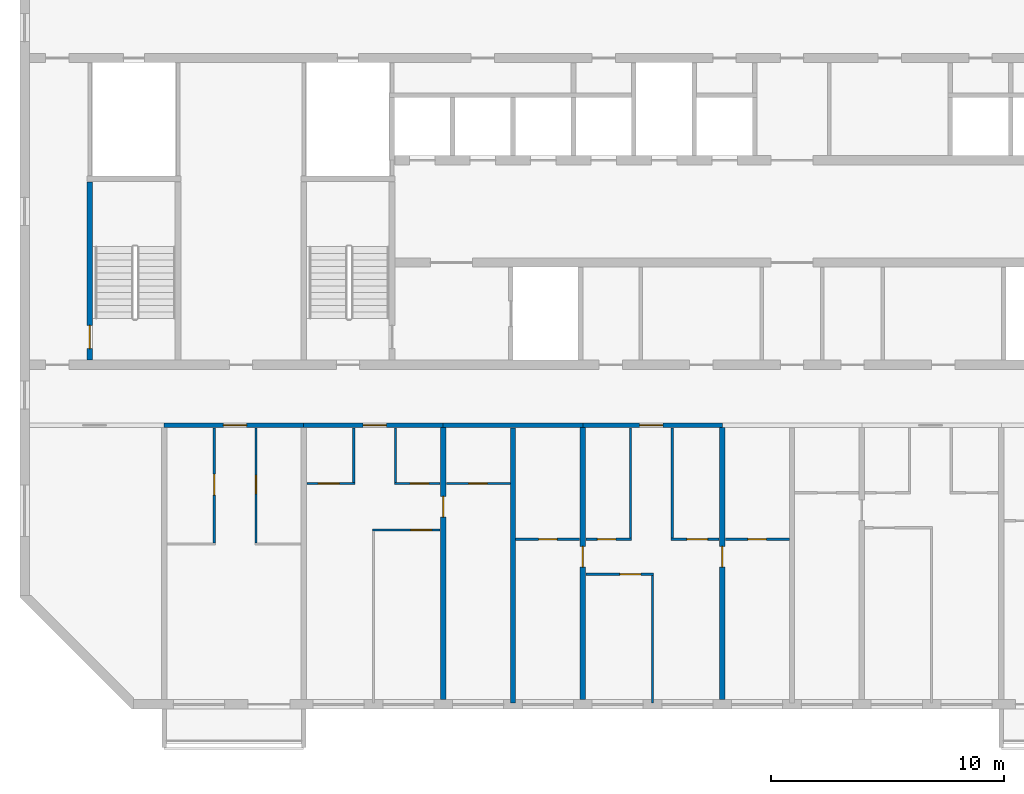
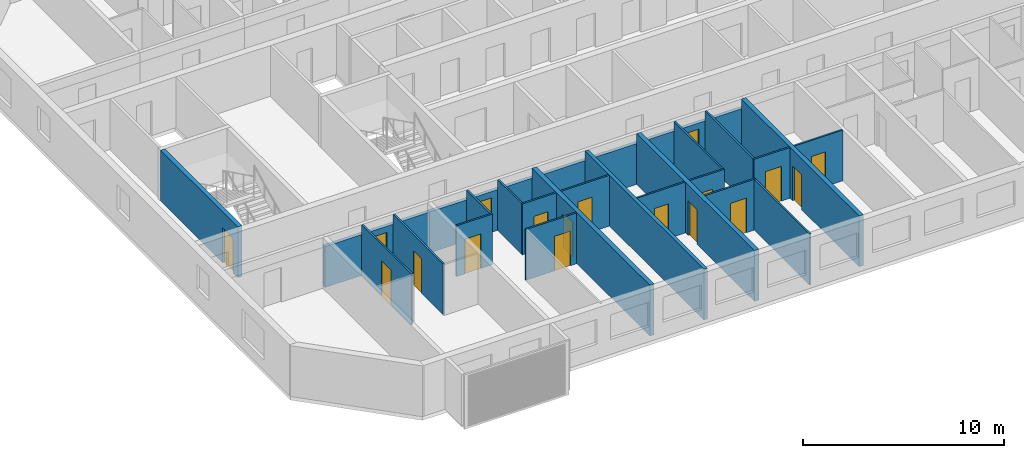
# One storey, part 2 of 28: 25 walls, 18 doors, 18 openings.
"""IFC4 building model written with IfcOpenShell, lengths in metres."""

from ifc_helpers import new_model, si_unit, direction, frame, frame_2d, origin, place, context, subcontext, project, spatial, rectangle, extrude, material, layer, layer_set, type_object, element, fill, save


model = new_model("IFC4")

# Units and contexts
model_context = context("Model", 3, precision=1e-05, world=origin(), true_north=direction((0.0, 1.0)))
body_context = subcontext(model_context, "Body", "Model", "MODEL_VIEW")
ifc_project = project(units=[si_unit("LENGTHUNIT", "METRE"), si_unit("AREAUNIT", "SQUARE_METRE"), si_unit("VOLUMEUNIT", "CUBIC_METRE"), si_unit("PLANEANGLEUNIT", "RADIAN"), si_unit("MASSUNIT", "GRAM", prefix="KILO")], contexts=[model_context])

# Site, building, storey
site_placement = place(None, origin())
site = spatial("IfcSite", under=ifc_project, at=site_placement, CompositionType="ELEMENT")
building_placement = place(site_placement, origin())
building = spatial("IfcBuilding", under=site, at=building_placement, Name="Poui Terraces", CompositionType="ELEMENT")
storey_placement = place(building_placement, frame((0.0, 0.0, 181.800048828125)))
storey = spatial("IfcBuildingStorey", under=building, at=storey_placement, Name="L50", CompositionType="ELEMENT", Elevation=181.800048828125)

# Wall, opening, door
ifc_material_1 = material(Name="Concrete 50 MPa", Category="concrete")
ifc_layer_1 = layer(ifc_material_1, 0.199951171875)
ifc_layer_set_1 = layer_set([ifc_layer_1], Name="Concrete 50 MPa")
wall_type_1 = type_object("IfcWallType", Name="CORRIDOR WALL 200 50MPa", PredefinedType="SHEAR", material=ifc_layer_set_1)
wall_1_placement = place(storey_placement, frame((24.0, 12.0, 0.0), z_axis=(0.0, 0.0, 1.0), x_axis=(1.0, 0.0, 0.0)))
wall_1 = element("IfcWall", 1, at=wall_1_placement, inside=storey, type_object=wall_type_1, Name="CORRIDOR WALL LINE B BAY 2", PredefinedType="SHEAR", context=body_context, shape_type="SweptSolid", body=[
    extrude(rectangle(XDim=6.0, YDim=0.199951171875, at=frame_2d((3.0, 0.0))), origin(), (0.0, 0.0, 1.0), 2.47998046875),
])
opening_1_placement = place(wall_1_placement, frame((2.550048828125, 0.0, 0.0)))
opening_1 = element("IfcOpeningElement", 2, at=opening_1_placement, cuts=wall_1, Name="Opening FD30S", PredefinedType="OPENING", context=body_context, shape_type="SweptSolid", body=[
    extrude(rectangle(XDim=1.0, YDim=2.10009765625, at=frame_2d((0.5, 1.050048828125))), frame((0.0, 0.10986328125, 0.0), z_axis=(0.0, -1.0, 0.0), x_axis=(1.0, 0.0, 0.0)), (0.0, 0.0, 1.0), 0.219970703125),
])
ifc_material_2 = material(Name="Steel fire door", Category="steel")
door_type_1 = type_object("IfcDoorType", Name="FLAT ENTRANCE DOOR 1000 X 2100", OperationType="NOTDEFINED", PredefinedType="DOOR", material=ifc_material_2)
door_1_placement = place(opening_1_placement, frame((1.0, 0.0, 0.0), z_axis=(0.0, 0.0, 1.0), x_axis=(-1.0, 0.0, 0.0)))
door_1 = element("IfcDoor", 3, at=door_1_placement, inside=storey, type_object=door_type_1, Name="FLAT ENTRANCE DOOR 066", OperationType="SINGLE_SWING_LEFT", OverallHeight=2.10009765625, OverallWidth=1.0, PredefinedType="DOOR", context=body_context, shape_type="SweptSolid", body=[
    extrude(rectangle(XDim=1.0, YDim=2.10009765625, at=frame_2d((0.5, 1.050048828125))), frame((0.0, 0.02490234375, 0.0), z_axis=(0.0, -1.0, 0.0), x_axis=(1.0, 0.0, 0.0)), (0.0, 0.0, 1.0), 0.050048828125),
])
fill(opening_1, door_1)

wall_2_placement = place(storey_placement, frame((30.0, 12.0, 0.0), z_axis=(0.0, 0.0, 1.0), x_axis=(1.0, 0.0, 0.0)))
wall_2 = element("IfcWall", 4, at=wall_2_placement, inside=storey, type_object=wall_type_1, Name="CORRIDOR WALL LINE B BAY 3", PredefinedType="SHEAR", context=body_context, shape_type="SweptSolid", body=[
    extrude(rectangle(XDim=6.0, YDim=0.199951171875, at=frame_2d((3.0, 0.0))), origin(), (0.0, 0.0, 1.0), 2.47998046875),
])
opening_2_placement = place(wall_2_placement, frame((2.550048828125, 0.0, 0.0)))
opening_2 = element("IfcOpeningElement", 5, at=opening_2_placement, cuts=wall_2, Name="Opening FD30S", PredefinedType="OPENING", context=body_context, shape_type="SweptSolid", body=[
    extrude(rectangle(XDim=1.0, YDim=2.10009765625, at=frame_2d((0.5, 1.050048828125))), frame((0.0, 0.10986328125, 0.0), z_axis=(0.0, -1.0, 0.0), x_axis=(1.0, 0.0, 0.0)), (0.0, 0.0, 1.0), 0.219970703125),
])
door_2_placement = place(opening_2_placement, frame((1.0, 0.0, 0.0), z_axis=(0.0, 0.0, 1.0), x_axis=(-1.0, 0.0, 0.0)))
door_2 = element("IfcDoor", 6, at=door_2_placement, inside=storey, type_object=door_type_1, Name="FLAT ENTRANCE DOOR 070", OperationType="SINGLE_SWING_LEFT", OverallHeight=2.10009765625, OverallWidth=1.0, PredefinedType="DOOR", context=body_context, shape_type="SweptSolid", body=[
    extrude(rectangle(XDim=1.0, YDim=2.10009765625, at=frame_2d((0.5, 1.050048828125))), frame((0.0, 0.02490234375, 0.0), z_axis=(0.0, -1.0, 0.0), x_axis=(1.0, 0.0, 0.0)), (0.0, 0.0, 1.0), 0.050048828125),
])
fill(opening_2, door_2)

# Wall
wall_3_placement = place(storey_placement, frame((36.0, 12.0, 0.0), z_axis=(0.0, 0.0, 1.0), x_axis=(1.0, 0.0, 0.0)))
element("IfcWall", 7, at=wall_3_placement, inside=storey, type_object=wall_type_1, Name="CORRIDOR WALL LINE B BAY 4", PredefinedType="SHEAR", context=body_context, shape_type="SweptSolid", body=[
    extrude(rectangle(XDim=6.0, YDim=0.199951171875, at=frame_2d((3.0, 0.0))), origin(), (0.0, 0.0, 1.0), 2.47998046875),
])

# Wall, opening, door
wall_4_placement = place(storey_placement, frame((42.0, 12.0, 0.0), z_axis=(0.0, 0.0, 1.0), x_axis=(1.0, 0.0, 0.0)))
wall_4 = element("IfcWall", 8, at=wall_4_placement, inside=storey, type_object=wall_type_1, Name="CORRIDOR WALL LINE B BAY 5", PredefinedType="SHEAR", context=body_context, shape_type="SweptSolid", body=[
    extrude(rectangle(XDim=6.0, YDim=0.199951171875, at=frame_2d((3.0, 0.0))), origin(), (0.0, 0.0, 1.0), 2.47998046875),
])
opening_3_placement = place(wall_4_placement, frame((2.449951171875, 0.0, 0.0)))
opening_3 = element("IfcOpeningElement", 9, at=opening_3_placement, cuts=wall_4, Name="Opening FD30S", PredefinedType="OPENING", context=body_context, shape_type="SweptSolid", body=[
    extrude(rectangle(XDim=1.0, YDim=2.10009765625, at=frame_2d((0.5, 1.050048828125))), frame((0.0, 0.10986328125, 0.0), z_axis=(0.0, -1.0, 0.0), x_axis=(1.0, 0.0, 0.0)), (0.0, 0.0, 1.0), 0.219970703125),
])
door_3_placement = place(opening_3_placement, frame((1.0, 0.0, 0.0), z_axis=(0.0, 0.0, 1.0), x_axis=(-1.0, 0.0, 0.0)))
door_3 = element("IfcDoor", 10, at=door_3_placement, inside=storey, type_object=door_type_1, Name="FLAT ENTRANCE DOOR 079", OperationType="SINGLE_SWING_RIGHT", OverallHeight=2.10009765625, OverallWidth=1.0, PredefinedType="DOOR", context=body_context, shape_type="SweptSolid", body=[
    extrude(rectangle(XDim=1.0, YDim=2.10009765625, at=frame_2d((0.5, 1.050048828125))), frame((0.0, 0.02490234375, 0.0), z_axis=(0.0, -1.0, 0.0), x_axis=(1.0, 0.0, 0.0)), (0.0, 0.0, 1.0), 0.050048828125),
])
fill(opening_3, door_3)

ifc_layer_2 = layer(ifc_material_1, 0.25)
ifc_layer_set_2 = layer_set([ifc_layer_2], Name="Concrete 50 MPa")
wall_type_2 = type_object("IfcWallType", Name="CROSS WALL 250 50MPa", PredefinedType="SHEAR", material=ifc_layer_set_2)
wall_5_placement = place(storey_placement, frame((36.0, 0.199951171875, 0.0), z_axis=(0.0, 0.0, 1.0), x_axis=(0.0, 1.0, 0.0)))
wall_5 = element("IfcWall", 11, at=wall_5_placement, inside=storey, type_object=wall_type_2, Name="CROSS WALL LINE 7 SOUTH", PredefinedType="SHEAR", context=body_context, shape_type="SweptSolid", body=[
    extrude(rectangle(XDim=11.699951171875, YDim=0.25, at=frame_2d((5.85009765625, 0.0))), origin(), (0.0, 0.0, 1.0), 3.079833984375),
])
opening_4_placement = place(wall_5_placement, frame((7.85009765625, 0.0, 0.0)))
opening_4 = element("IfcOpeningElement", 12, at=opening_4_placement, cuts=wall_5, Name="Opening D90", PredefinedType="OPENING", context=body_context, shape_type="SweptSolid", body=[
    extrude(rectangle(XDim=0.89990234375, YDim=2.10009765625, at=frame_2d((0.449951171875, 1.050048828125))), frame((0.0, 0.135009765625, 0.0), z_axis=(0.0, -1.0, 0.0), x_axis=(1.0, 0.0, 0.0)), (0.0, 0.0, 1.0), 0.27001953125),
])
ifc_material_3 = material(Name="Solid core timber door", Category="wood")
door_type_2 = type_object("IfcDoorType", Name="INTERNAL DOOR 900 X 2100", OperationType="NOTDEFINED", PredefinedType="DOOR", material=ifc_material_3)
door_4_placement = place(opening_4_placement, frame((0.89990234375, 0.0, 0.0), z_axis=(0.0, 0.0, 1.0), x_axis=(-1.0, 0.0, 0.0)))
door_4 = element("IfcDoor", 13, at=door_4_placement, inside=storey, type_object=door_type_2, Name="INTERNAL DOOR 073", OperationType="SINGLE_SWING_LEFT", OverallHeight=2.10009765625, OverallWidth=0.89990234375, PredefinedType="DOOR", context=body_context, shape_type="SweptSolid", body=[
    extrude(rectangle(XDim=0.89990234375, YDim=2.10009765625, at=frame_2d((0.449951171875, 1.050048828125))), frame((0.0, 0.02490234375, 0.0), z_axis=(0.0, -1.0, 0.0), x_axis=(1.0, 0.0, 0.0)), (0.0, 0.0, 1.0), 0.050048828125),
])
fill(opening_4, door_4)

wall_6_placement = place(storey_placement, frame((42.0, 0.199951171875, 0.0), z_axis=(0.0, 0.0, 1.0), x_axis=(0.0, 1.0, 0.0)))
wall_6 = element("IfcWall", 14, at=wall_6_placement, inside=storey, type_object=wall_type_2, Name="CROSS WALL LINE 8 SOUTH", PredefinedType="SHEAR", context=body_context, shape_type="SweptSolid", body=[
    extrude(rectangle(XDim=11.699951171875, YDim=0.25, at=frame_2d((5.85009765625, 0.0))), origin(), (0.0, 0.0, 1.0), 3.079833984375),
])
opening_5_placement = place(wall_6_placement, frame((5.699951171875, 0.0, 0.0)))
opening_5 = element("IfcOpeningElement", 15, at=opening_5_placement, cuts=wall_6, Name="Opening D90", PredefinedType="OPENING", context=body_context, shape_type="SweptSolid", body=[
    extrude(rectangle(XDim=0.89990234375, YDim=2.10009765625, at=frame_2d((0.449951171875, 1.050048828125))), frame((0.0, 0.135009765625, 0.0), z_axis=(0.0, -1.0, 0.0), x_axis=(1.0, 0.0, 0.0)), (0.0, 0.0, 1.0), 0.27001953125),
])
door_5_placement = place(opening_5_placement, origin())
door_5 = element("IfcDoor", 16, at=door_5_placement, inside=storey, type_object=door_type_2, Name="INTERNAL DOOR 076", OperationType="SINGLE_SWING_RIGHT", OverallHeight=2.10009765625, OverallWidth=0.89990234375, PredefinedType="DOOR", context=body_context, shape_type="SweptSolid", body=[
    extrude(rectangle(XDim=0.89990234375, YDim=2.10009765625, at=frame_2d((0.449951171875, 1.050048828125))), frame((0.0, 0.02490234375, 0.0), z_axis=(0.0, -1.0, 0.0), x_axis=(1.0, 0.0, 0.0)), (0.0, 0.0, 1.0), 0.050048828125),
])
fill(opening_5, door_5)

wall_7_placement = place(storey_placement, frame((48.0, 0.199951171875, 0.0), z_axis=(0.0, 0.0, 1.0), x_axis=(0.0, 1.0, 0.0)))
wall_7 = element("IfcWall", 17, at=wall_7_placement, inside=storey, type_object=wall_type_2, Name="CROSS WALL LINE 9 SOUTH", PredefinedType="SHEAR", context=body_context, shape_type="SweptSolid", body=[
    extrude(rectangle(XDim=11.699951171875, YDim=0.25, at=frame_2d((5.85009765625, 0.0))), origin(), (0.0, 0.0, 1.0), 3.079833984375),
])
opening_6_placement = place(wall_7_placement, frame((5.699951171875, 0.0, 0.0)))
opening_6 = element("IfcOpeningElement", 18, at=opening_6_placement, cuts=wall_7, Name="Opening D90", PredefinedType="OPENING", context=body_context, shape_type="SweptSolid", body=[
    extrude(rectangle(XDim=0.89990234375, YDim=2.10009765625, at=frame_2d((0.449951171875, 1.050048828125))), frame((0.0, 0.135009765625, 0.0), z_axis=(0.0, -1.0, 0.0), x_axis=(1.0, 0.0, 0.0)), (0.0, 0.0, 1.0), 0.27001953125),
])
door_6_placement = place(opening_6_placement, frame((0.89990234375, 0.0, 0.0), z_axis=(0.0, 0.0, 1.0), x_axis=(-1.0, 0.0, 0.0)))
door_6 = element("IfcDoor", 19, at=door_6_placement, inside=storey, type_object=door_type_2, Name="INTERNAL DOOR 081", OperationType="SINGLE_SWING_LEFT", OverallHeight=2.10009765625, OverallWidth=0.89990234375, PredefinedType="DOOR", context=body_context, shape_type="SweptSolid", body=[
    extrude(rectangle(XDim=0.89990234375, YDim=2.10009765625, at=frame_2d((0.449951171875, 1.050048828125))), frame((0.0, 0.02490234375, 0.0), z_axis=(0.0, -1.0, 0.0), x_axis=(1.0, 0.0, 0.0)), (0.0, 0.0, 1.0), 0.050048828125),
])
fill(opening_6, door_6)

ifc_material_4 = material(Name="Plasterboard partition")
ifc_layer_3 = layer(ifc_material_4, 0.10009765625)
ifc_layer_set_3 = layer_set([ifc_layer_3], Name="Plasterboard partition")
wall_type_3 = type_object("IfcWallType", Name="FLAT PARTITION 100", PredefinedType="PARTITIONING", material=ifc_layer_set_3)
wall_8_placement = place(storey_placement, frame((42.135009765625, 5.60009765625, 0.0), z_axis=(0.0, 0.0, 1.0), x_axis=(1.0, 0.0, 0.0)))
wall_8 = element("IfcWall", 20, at=wall_8_placement, inside=storey, type_object=wall_type_3, Name="FLAT PARTITION 100", PredefinedType="PARTITIONING", context=body_context, shape_type="SweptSolid", body=[
    extrude(rectangle(XDim=2.9150390625, YDim=0.10009765625, at=frame_2d((1.45751953125, 0.0))), origin(), (0.0, 0.0, 1.0), 3.079833984375),
])
opening_7_placement = place(wall_8_placement, frame((1.465087890625, 0.0, 0.0)))
opening_7 = element("IfcOpeningElement", 21, at=opening_7_placement, cuts=wall_8, Name="Opening D90", PredefinedType="OPENING", context=body_context, shape_type="SweptSolid", body=[
    extrude(rectangle(XDim=0.89990234375, YDim=2.10009765625, at=frame_2d((0.449951171875, 1.050048828125))), frame((0.0, 0.06005859375, 0.0), z_axis=(0.0, -1.0, 0.0), x_axis=(1.0, 0.0, 0.0)), (0.0, 0.0, 1.0), 0.1201171875),
])
door_7_placement = place(opening_7_placement, origin())
door_7 = element("IfcDoor", 22, at=door_7_placement, inside=storey, type_object=door_type_2, Name="INTERNAL DOOR 078", OperationType="SINGLE_SWING_LEFT", OverallHeight=2.10009765625, OverallWidth=0.89990234375, PredefinedType="DOOR", context=body_context, shape_type="SweptSolid", body=[
    extrude(rectangle(XDim=0.89990234375, YDim=2.10009765625, at=frame_2d((0.449951171875, 1.050048828125))), frame((0.0, 0.02490234375, 0.0), z_axis=(0.0, -1.0, 0.0), x_axis=(1.0, 0.0, 0.0)), (0.0, 0.0, 1.0), 0.050048828125),
])
fill(opening_7, door_7)

wall_9_placement = place(storey_placement, frame((39.10009765625, 7.10009765625, 0.0), z_axis=(0.0, 0.0, 1.0), x_axis=(1.0, 0.0, 0.0)))
wall_9 = element("IfcWall", 23, at=wall_9_placement, inside=storey, type_object=wall_type_3, Name="FLAT PARTITION 100", PredefinedType="PARTITIONING", context=body_context, shape_type="SweptSolid", body=[
    extrude(rectangle(XDim=2.764892578125, YDim=0.10009765625, at=frame_2d((1.38232421875, 0.0))), origin(), (0.0, 0.0, 1.0), 3.079833984375),
])
opening_8_placement = place(wall_9_placement, frame((1.0, 0.0, 0.0)))
opening_8 = element("IfcOpeningElement", 24, at=opening_8_placement, cuts=wall_9, Name="Opening D80", PredefinedType="OPENING", context=body_context, shape_type="SweptSolid", body=[
    extrude(rectangle(XDim=0.800048828125, YDim=2.10009765625, at=frame_2d((0.39990234375, 1.050048828125))), frame((0.0, 0.06005859375, 0.0), z_axis=(0.0, -1.0, 0.0), x_axis=(1.0, 0.0, 0.0)), (0.0, 0.0, 1.0), 0.1201171875),
])
door_type_3 = type_object("IfcDoorType", Name="BATHROOM, LAUNDRY AND STORE DOOR 800 X 2100", OperationType="NOTDEFINED", PredefinedType="DOOR", material=ifc_material_3)
door_8_placement = place(opening_8_placement, origin())
door_8 = element("IfcDoor", 25, at=door_8_placement, inside=storey, type_object=door_type_3, Name="BATHROOM, LAUNDRY AND STORE DOOR 074", OperationType="SINGLE_SWING_RIGHT", OverallHeight=2.10009765625, OverallWidth=0.800048828125, PredefinedType="DOOR", context=body_context, shape_type="SweptSolid", body=[
    extrude(rectangle(XDim=0.800048828125, YDim=2.10009765625, at=frame_2d((0.39990234375, 1.050048828125))), frame((0.0, 0.02490234375, 0.0), z_axis=(0.0, -1.0, 0.0), x_axis=(1.0, 0.0, 0.0)), (0.0, 0.0, 1.0), 0.050048828125),
])
fill(opening_8, door_8)

wall_10_placement = place(storey_placement, frame((42.135009765625, 7.10009765625, 0.0), z_axis=(0.0, 0.0, 1.0), x_axis=(1.0, 0.0, 0.0)))
wall_10 = element("IfcWall", 26, at=wall_10_placement, inside=storey, type_object=wall_type_3, Name="FLAT PARTITION 100", PredefinedType="PARTITIONING", context=body_context, shape_type="SweptSolid", body=[
    extrude(rectangle(XDim=1.965087890625, YDim=0.10009765625, at=frame_2d((0.982421875, 0.0))), origin(), (0.0, 0.0, 1.0), 3.079833984375),
])
opening_9_placement = place(wall_10_placement, frame((0.489990234375, 0.0, 0.0)))
opening_9 = element("IfcOpeningElement", 27, at=opening_9_placement, cuts=wall_10, Name="Opening D80", PredefinedType="OPENING", context=body_context, shape_type="SweptSolid", body=[
    extrude(rectangle(XDim=0.800048828125, YDim=2.10009765625, at=frame_2d((0.39990234375, 1.050048828125))), frame((0.0, 0.06005859375, 0.0), z_axis=(0.0, -1.0, 0.0), x_axis=(1.0, 0.0, 0.0)), (0.0, 0.0, 1.0), 0.1201171875),
])
door_9_placement = place(opening_9_placement, origin())
door_9 = element("IfcDoor", 28, at=door_9_placement, inside=storey, type_object=door_type_3, Name="BATHROOM, LAUNDRY AND STORE DOOR 077", OperationType="SINGLE_SWING_RIGHT", OverallHeight=2.10009765625, OverallWidth=0.800048828125, PredefinedType="DOOR", context=body_context, shape_type="SweptSolid", body=[
    extrude(rectangle(XDim=0.800048828125, YDim=2.10009765625, at=frame_2d((0.39990234375, 1.050048828125))), frame((0.0, 0.02490234375, 0.0), z_axis=(0.0, -1.0, 0.0), x_axis=(1.0, 0.0, 0.0)), (0.0, 0.0, 1.0), 0.050048828125),
])
fill(opening_9, door_9)

wall_11_placement = place(storey_placement, frame((45.800048828125, 7.10009765625, 0.0), z_axis=(0.0, 0.0, 1.0), x_axis=(1.0, 0.0, 0.0)))
wall_11 = element("IfcWall", 29, at=wall_11_placement, inside=storey, type_object=wall_type_3, Name="FLAT PARTITION 100", PredefinedType="PARTITIONING", context=body_context, shape_type="SweptSolid", body=[
    extrude(rectangle(XDim=2.06494140625, YDim=0.10009765625, at=frame_2d((1.032470703125, 0.0))), origin(), (0.0, 0.0, 1.0), 3.079833984375),
])
opening_10_placement = place(wall_11_placement, frame((0.675048828125, 0.0, 0.0)))
opening_10 = element("IfcOpeningElement", 30, at=opening_10_placement, cuts=wall_11, Name="Opening D90", PredefinedType="OPENING", context=body_context, shape_type="SweptSolid", body=[
    extrude(rectangle(XDim=0.89990234375, YDim=2.10009765625, at=frame_2d((0.449951171875, 1.050048828125))), frame((0.0, 0.06005859375, 0.0), z_axis=(0.0, -1.0, 0.0), x_axis=(1.0, 0.0, 0.0)), (0.0, 0.0, 1.0), 0.1201171875),
])
door_10_placement = place(opening_10_placement, origin())
door_10 = element("IfcDoor", 31, at=door_10_placement, inside=storey, type_object=door_type_2, Name="INTERNAL DOOR 080", OperationType="SINGLE_SWING_LEFT", OverallHeight=2.10009765625, OverallWidth=0.89990234375, PredefinedType="DOOR", context=body_context, shape_type="SweptSolid", body=[
    extrude(rectangle(XDim=0.89990234375, YDim=2.10009765625, at=frame_2d((0.449951171875, 1.050048828125))), frame((0.0, 0.02490234375, 0.0), z_axis=(0.0, -1.0, 0.0), x_axis=(1.0, 0.0, 0.0)), (0.0, 0.0, 1.0), 0.050048828125),
])
fill(opening_10, door_10)

wall_12_placement = place(storey_placement, frame((48.135009765625, 7.10009765625, 0.0), z_axis=(0.0, 0.0, 1.0), x_axis=(1.0, 0.0, 0.0)))
wall_12 = element("IfcWall", 32, at=wall_12_placement, inside=storey, type_object=wall_type_3, Name="FLAT PARTITION 100", PredefinedType="PARTITIONING", context=body_context, shape_type="SweptSolid", body=[
    extrude(rectangle(XDim=2.764892578125, YDim=0.10009765625, at=frame_2d((1.38232421875, 0.0))), origin(), (0.0, 0.0, 1.0), 3.079833984375),
])
opening_11_placement = place(wall_12_placement, frame((0.965087890625, 0.0, 0.0)))
opening_11 = element("IfcOpeningElement", 33, at=opening_11_placement, cuts=wall_12, Name="Opening D80", PredefinedType="OPENING", context=body_context, shape_type="SweptSolid", body=[
    extrude(rectangle(XDim=0.800048828125, YDim=2.10009765625, at=frame_2d((0.39990234375, 1.050048828125))), frame((0.0, 0.06005859375, 0.0), z_axis=(0.0, -1.0, 0.0), x_axis=(1.0, 0.0, 0.0)), (0.0, 0.0, 1.0), 0.1201171875),
])
door_11_placement = place(opening_11_placement, origin())
door_11 = element("IfcDoor", 34, at=door_11_placement, inside=storey, type_object=door_type_3, Name="BATHROOM, LAUNDRY AND STORE DOOR 075", OperationType="SINGLE_SWING_RIGHT", OverallHeight=2.10009765625, OverallWidth=0.800048828125, PredefinedType="DOOR", context=body_context, shape_type="SweptSolid", body=[
    extrude(rectangle(XDim=0.800048828125, YDim=2.10009765625, at=frame_2d((0.39990234375, 1.050048828125))), frame((0.0, 0.02490234375, 0.0), z_axis=(0.0, -1.0, 0.0), x_axis=(1.0, 0.0, 0.0)), (0.0, 0.0, 1.0), 0.050048828125),
])
fill(opening_11, door_11)

wall_13_placement = place(storey_placement, frame((32.949951171875, 7.5, 0.0), z_axis=(0.0, 0.0, 1.0), x_axis=(1.0, 0.0, 0.0)))
wall_13 = element("IfcWall", 35, at=wall_13_placement, inside=storey, type_object=wall_type_3, Name="FLAT PARTITION 100", PredefinedType="PARTITIONING", context=body_context, shape_type="SweptSolid", body=[
    extrude(rectangle(XDim=2.9150390625, YDim=0.10009765625, at=frame_2d((1.45751953125, 0.0))), origin(), (0.0, 0.0, 1.0), 3.079833984375),
])
opening_12_placement = place(wall_13_placement, frame((1.64990234375, 0.0, 0.0)))
opening_12 = element("IfcOpeningElement", 36, at=opening_12_placement, cuts=wall_13, Name="Opening D90", PredefinedType="OPENING", context=body_context, shape_type="SweptSolid", body=[
    extrude(rectangle(XDim=0.89990234375, YDim=2.10009765625, at=frame_2d((0.449951171875, 1.050048828125))), frame((0.0, 0.06005859375, 0.0), z_axis=(0.0, -1.0, 0.0), x_axis=(1.0, 0.0, 0.0)), (0.0, 0.0, 1.0), 0.1201171875),
])
door_12_placement = place(opening_12_placement, origin())
door_12 = element("IfcDoor", 37, at=door_12_placement, inside=storey, type_object=door_type_2, Name="INTERNAL DOOR 072", OperationType="SINGLE_SWING_LEFT", OverallHeight=2.10009765625, OverallWidth=0.89990234375, PredefinedType="DOOR", context=body_context, shape_type="SweptSolid", body=[
    extrude(rectangle(XDim=0.89990234375, YDim=2.10009765625, at=frame_2d((0.449951171875, 1.050048828125))), frame((0.0, 0.02490234375, 0.0), z_axis=(0.0, -1.0, 0.0), x_axis=(1.0, 0.0, 0.0)), (0.0, 0.0, 1.0), 0.050048828125),
])
fill(opening_12, door_12)

wall_14_placement = place(storey_placement, frame((30.135009765625, 9.5, 0.0), z_axis=(0.0, 0.0, 1.0), x_axis=(1.0, 0.0, 0.0)))
wall_14 = element("IfcWall", 38, at=wall_14_placement, inside=storey, type_object=wall_type_3, Name="FLAT PARTITION 100", PredefinedType="PARTITIONING", context=body_context, shape_type="SweptSolid", body=[
    extrude(rectangle(XDim=2.06494140625, YDim=0.10009765625, at=frame_2d((1.032470703125, 0.0))), origin(), (0.0, 0.0, 1.0), 3.079833984375),
])
opening_13_placement = place(wall_14_placement, frame((0.489990234375, 0.0, 0.0)))
opening_13 = element("IfcOpeningElement", 39, at=opening_13_placement, cuts=wall_14, Name="Opening D90", PredefinedType="OPENING", context=body_context, shape_type="SweptSolid", body=[
    extrude(rectangle(XDim=0.89990234375, YDim=2.10009765625, at=frame_2d((0.449951171875, 1.050048828125))), frame((0.0, 0.06005859375, 0.0), z_axis=(0.0, -1.0, 0.0), x_axis=(1.0, 0.0, 0.0)), (0.0, 0.0, 1.0), 0.1201171875),
])
door_13_placement = place(opening_13_placement, origin())
door_13 = element("IfcDoor", 40, at=door_13_placement, inside=storey, type_object=door_type_2, Name="INTERNAL DOOR 069", OperationType="SINGLE_SWING_LEFT", OverallHeight=2.10009765625, OverallWidth=0.89990234375, PredefinedType="DOOR", context=body_context, shape_type="SweptSolid", body=[
    extrude(rectangle(XDim=0.89990234375, YDim=2.10009765625, at=frame_2d((0.449951171875, 1.050048828125))), frame((0.0, 0.02490234375, 0.0), z_axis=(0.0, -1.0, 0.0), x_axis=(1.0, 0.0, 0.0)), (0.0, 0.0, 1.0), 0.050048828125),
])
fill(opening_13, door_13)

wall_15_placement = place(storey_placement, frame((33.89990234375, 9.5, 0.0), z_axis=(0.0, 0.0, 1.0), x_axis=(1.0, 0.0, 0.0)))
wall_15 = element("IfcWall", 41, at=wall_15_placement, inside=storey, type_object=wall_type_3, Name="FLAT PARTITION 100", PredefinedType="PARTITIONING", context=body_context, shape_type="SweptSolid", body=[
    extrude(rectangle(XDim=1.965087890625, YDim=0.10009765625, at=frame_2d((0.982421875, 0.0))), origin(), (0.0, 0.0, 1.0), 3.079833984375),
])
opening_14_placement = place(wall_15_placement, frame((0.675048828125, 0.0, 0.0)))
opening_14 = element("IfcOpeningElement", 42, at=opening_14_placement, cuts=wall_15, Name="Opening D80", PredefinedType="OPENING", context=body_context, shape_type="SweptSolid", body=[
    extrude(rectangle(XDim=0.800048828125, YDim=2.10009765625, at=frame_2d((0.39990234375, 1.050048828125))), frame((0.0, 0.06005859375, 0.0), z_axis=(0.0, -1.0, 0.0), x_axis=(1.0, 0.0, 0.0)), (0.0, 0.0, 1.0), 0.1201171875),
])
door_14_placement = place(opening_14_placement, origin())
door_14 = element("IfcDoor", 43, at=door_14_placement, inside=storey, type_object=door_type_3, Name="BATHROOM, LAUNDRY AND STORE DOOR 071", OperationType="SINGLE_SWING_RIGHT", OverallHeight=2.10009765625, OverallWidth=0.800048828125, PredefinedType="DOOR", context=body_context, shape_type="SweptSolid", body=[
    extrude(rectangle(XDim=0.800048828125, YDim=2.10009765625, at=frame_2d((0.39990234375, 1.050048828125))), frame((0.0, 0.02490234375, 0.0), z_axis=(0.0, -1.0, 0.0), x_axis=(1.0, 0.0, 0.0)), (0.0, 0.0, 1.0), 0.050048828125),
])
fill(opening_14, door_14)

wall_16_placement = place(storey_placement, frame((36.135009765625, 9.5, 0.0), z_axis=(0.0, 0.0, 1.0), x_axis=(1.0, 0.0, 0.0)))
wall_16 = element("IfcWall", 44, at=wall_16_placement, inside=storey, type_object=wall_type_3, Name="FLAT PARTITION 100", PredefinedType="PARTITIONING", context=body_context, shape_type="SweptSolid", body=[
    extrude(rectangle(XDim=2.764892578125, YDim=0.10009765625, at=frame_2d((1.38232421875, 0.0))), origin(), (0.0, 0.0, 1.0), 3.079833984375),
])
opening_15_placement = place(wall_16_placement, frame((0.965087890625, 0.0, 0.0)))
opening_15 = element("IfcOpeningElement", 45, at=opening_15_placement, cuts=wall_16, Name="Opening D80", PredefinedType="OPENING", context=body_context, shape_type="SweptSolid", body=[
    extrude(rectangle(XDim=0.800048828125, YDim=2.10009765625, at=frame_2d((0.39990234375, 1.050048828125))), frame((0.0, 0.06005859375, 0.0), z_axis=(0.0, -1.0, 0.0), x_axis=(1.0, 0.0, 0.0)), (0.0, 0.0, 1.0), 0.1201171875),
])
door_15_placement = place(opening_15_placement, origin())
door_15 = element("IfcDoor", 46, at=door_15_placement, inside=storey, type_object=door_type_3, Name="BATHROOM, LAUNDRY AND STORE DOOR 068", OperationType="SINGLE_SWING_LEFT", OverallHeight=2.10009765625, OverallWidth=0.800048828125, PredefinedType="DOOR", context=body_context, shape_type="SweptSolid", body=[
    extrude(rectangle(XDim=0.800048828125, YDim=2.10009765625, at=frame_2d((0.39990234375, 1.050048828125))), frame((0.0, 0.02490234375, 0.0), z_axis=(0.0, -1.0, 0.0), x_axis=(1.0, 0.0, 0.0)), (0.0, 0.0, 1.0), 0.050048828125),
])
fill(opening_15, door_15)

wall_17_placement = place(storey_placement, frame((26.14990234375, 6.949951171875, 0.0), z_axis=(0.0, 0.0, 1.0), x_axis=(0.0, 1.0, 0.0)))
wall_17 = element("IfcWall", 47, at=wall_17_placement, inside=storey, type_object=wall_type_3, Name="FLAT PARTITION 100", PredefinedType="PARTITIONING", context=body_context, shape_type="SweptSolid", body=[
    extrude(rectangle(XDim=4.93994140625, YDim=0.10009765625, at=frame_2d((2.469970703125, 0.0))), origin(), (0.0, 0.0, 1.0), 3.079833984375),
])
opening_16_placement = place(wall_17_placement, frame((2.050048828125, 0.0, 0.0)))
opening_16 = element("IfcOpeningElement", 48, at=opening_16_placement, cuts=wall_17, Name="Opening D90", PredefinedType="OPENING", context=body_context, shape_type="SweptSolid", body=[
    extrude(rectangle(XDim=0.89990234375, YDim=2.10009765625, at=frame_2d((0.449951171875, 1.050048828125))), frame((0.0, 0.06005859375, 0.0), z_axis=(0.0, -1.0, 0.0), x_axis=(1.0, 0.0, 0.0)), (0.0, 0.0, 1.0), 0.1201171875),
])
door_16_placement = place(opening_16_placement, origin())
door_16 = element("IfcDoor", 49, at=door_16_placement, inside=storey, type_object=door_type_2, Name="INTERNAL DOOR 065", OperationType="SINGLE_SWING_LEFT", OverallHeight=2.10009765625, OverallWidth=0.89990234375, PredefinedType="DOOR", context=body_context, shape_type="SweptSolid", body=[
    extrude(rectangle(XDim=0.89990234375, YDim=2.10009765625, at=frame_2d((0.449951171875, 1.050048828125))), frame((0.0, 0.02490234375, 0.0), z_axis=(0.0, -1.0, 0.0), x_axis=(1.0, 0.0, 0.0)), (0.0, 0.0, 1.0), 0.050048828125),
])
fill(opening_16, door_16)

wall_18_placement = place(storey_placement, frame((27.949951171875, 6.949951171875, 0.0), z_axis=(0.0, 0.0, 1.0), x_axis=(0.0, 1.0, 0.0)))
wall_18 = element("IfcWall", 50, at=wall_18_placement, inside=storey, type_object=wall_type_3, Name="FLAT PARTITION 100", PredefinedType="PARTITIONING", context=body_context, shape_type="SweptSolid", body=[
    extrude(rectangle(XDim=4.93994140625, YDim=0.10009765625, at=frame_2d((2.469970703125, 0.0))), origin(), (0.0, 0.0, 1.0), 3.079833984375),
])
opening_17_placement = place(wall_18_placement, frame((2.10009765625, 0.0, 0.0)))
opening_17 = element("IfcOpeningElement", 51, at=opening_17_placement, cuts=wall_18, Name="Opening D80", PredefinedType="OPENING", context=body_context, shape_type="SweptSolid", body=[
    extrude(rectangle(XDim=0.800048828125, YDim=2.10009765625, at=frame_2d((0.39990234375, 1.050048828125))), frame((0.0, 0.06005859375, 0.0), z_axis=(0.0, -1.0, 0.0), x_axis=(1.0, 0.0, 0.0)), (0.0, 0.0, 1.0), 0.1201171875),
])
door_17_placement = place(opening_17_placement, frame((0.800048828125, 0.0, 0.0), z_axis=(0.0, 0.0, 1.0), x_axis=(-1.0, 0.0, 0.0)))
door_17 = element("IfcDoor", 52, at=door_17_placement, inside=storey, type_object=door_type_3, Name="BATHROOM, LAUNDRY AND STORE DOOR 067", OperationType="SINGLE_SWING_LEFT", OverallHeight=2.10009765625, OverallWidth=0.800048828125, PredefinedType="DOOR", context=body_context, shape_type="SweptSolid", body=[
    extrude(rectangle(XDim=0.800048828125, YDim=2.10009765625, at=frame_2d((0.39990234375, 1.050048828125))), frame((0.0, 0.02490234375, 0.0), z_axis=(0.0, -1.0, 0.0), x_axis=(1.0, 0.0, 0.0)), (0.0, 0.0, 1.0), 0.050048828125),
])
fill(opening_17, door_17)

# Walls
for number, where, z_axis, x_axis, name in (
    (53, (32.14990234375, 9.550048828125, 0.0), (0.0, 0.0, 1.0), (0.0, 1.0, 0.0), "FLAT PARTITION 100"),
    (54, (33.949951171875, 9.550048828125, 0.0), (0.0, 0.0, 1.0), (0.0, 1.0, 0.0), "FLAT PARTITION 100"),
):
    element("IfcWall", number, at=place(storey_placement, frame(where, z_axis=z_axis, x_axis=x_axis)), inside=storey, type_object=wall_type_3, Name=name, PredefinedType="PARTITIONING", context=body_context, shape_type="SweptSolid", body=[
        extrude(rectangle(XDim=2.33984375, YDim=0.10009765625, at=frame_2d((1.169921875, 0.0))), origin(), (0.0, 0.0, 1.0), 3.079833984375),
    ])
wall_19_placement = place(storey_placement, frame((44.050048828125, 7.14990234375, 0.0), z_axis=(0.0, 0.0, 1.0), x_axis=(0.0, 1.0, 0.0)))
element("IfcWall", 55, at=wall_19_placement, inside=storey, type_object=wall_type_3, Name="FLAT PARTITION 100", PredefinedType="PARTITIONING", context=body_context, shape_type="SweptSolid", body=[
    extrude(rectangle(XDim=4.739990234375, YDim=0.10009765625, at=frame_2d((2.3701171875, 0.0))), origin(), (0.0, 0.0, 1.0), 3.079833984375),
])
wall_20_placement = place(storey_placement, frame((45.0, 0.06005859375, 0.0), z_axis=(0.0, 0.0, 1.0), x_axis=(0.0, 1.0, 0.0)))
element("IfcWall", 56, at=wall_20_placement, inside=storey, type_object=wall_type_3, Name="FLAT PARTITION 100", PredefinedType="PARTITIONING", context=body_context, shape_type="SweptSolid", body=[
    extrude(rectangle(XDim=5.489990234375, YDim=0.10009765625, at=frame_2d((2.7451171875, 0.0))), origin(), (0.0, 0.0, 1.0), 3.079833984375),
])
wall_21_placement = place(storey_placement, frame((45.85009765625, 7.14990234375, 0.0), z_axis=(0.0, 0.0, 1.0), x_axis=(0.0, 1.0, 0.0)))
element("IfcWall", 57, at=wall_21_placement, inside=storey, type_object=wall_type_3, Name="FLAT PARTITION 100", PredefinedType="PARTITIONING", context=body_context, shape_type="SweptSolid", body=[
    extrude(rectangle(XDim=4.739990234375, YDim=0.10009765625, at=frame_2d((2.3701171875, 0.0))), origin(), (0.0, 0.0, 1.0), 3.079833984375),
])
ifc_material_5 = material(Name="Fire-rated masonry wall", Category="masonry")
ifc_layer_4 = layer(ifc_material_5, 0.199951171875)
ifc_layer_set_4 = layer_set([ifc_layer_4], Name="Fire-rated masonry wall")
wall_type_4 = type_object("IfcWallType", Name="FLAT PARTY WALL 200", PredefinedType="PARTITIONING", material=ifc_layer_set_4)
wall_22_placement = place(storey_placement, frame((39.0, 0.06005859375, 0.0), z_axis=(0.0, 0.0, 1.0), x_axis=(0.0, 1.0, 0.0)))
element("IfcWall", 58, at=wall_22_placement, inside=storey, type_object=wall_type_4, Name="FLAT PARTY WALL 200", PredefinedType="PARTITIONING", context=body_context, shape_type="SweptSolid", body=[
    extrude(rectangle(XDim=11.829833984375, YDim=0.199951171875, at=frame_2d((5.9150390625, 0.0))), origin(), (0.0, 0.0, 1.0), 3.079833984375),
])

# Wall, opening, door
ifc_layer_5 = layer(ifc_material_1, 0.25)
ifc_layer_set_5 = layer_set([ifc_layer_5], Name="Concrete 50 MPa")
wall_type_5 = type_object("IfcWallType", Name="STAIR CORE WALL 250 50 MPA", PredefinedType="SOLIDWALL", material=ifc_layer_set_5)
wall_23_placement = place(storey_placement, frame((20.800048828125, 14.800048828125, 0.0), z_axis=(0.0, 0.0, 1.0), x_axis=(0.0, 1.0, 0.0)))
wall_23 = element("IfcWall", 59, at=wall_23_placement, inside=storey, type_object=wall_type_5, Name="STAIR CORE WALL", PredefinedType="SOLIDWALL", context=body_context, shape_type="SweptSolid", body=[
    extrude(rectangle(XDim=7.675048828125, YDim=0.25, at=frame_2d((3.83740234375, 0.0))), origin(), (0.0, 0.0, 1.0), 3.079833984375),
])
opening_18_placement = place(wall_23_placement, frame((0.5, 0.0, 0.0)))
opening_18 = element("IfcOpeningElement", 60, at=opening_18_placement, cuts=wall_23, Name="Opening FD60S", PredefinedType="OPENING", context=body_context, shape_type="SweptSolid", body=[
    extrude(rectangle(XDim=1.0, YDim=2.10009765625, at=frame_2d((0.5, 1.050048828125))), frame((0.0, 0.135009765625, 0.0), z_axis=(0.0, -1.0, 0.0), x_axis=(1.0, 0.0, 0.0)), (0.0, 0.0, 1.0), 0.27001953125),
])
door_type_4 = type_object("IfcDoorType", Name="STAIR DOOR 1000 X 2100", OperationType="NOTDEFINED", PredefinedType="DOOR", material=ifc_material_2)
door_18_placement = place(opening_18_placement, frame((1.0, 0.0, 0.0), z_axis=(0.0, 0.0, 1.0), x_axis=(-1.0, 0.0, 0.0)))
door_18 = element("IfcDoor", 61, at=door_18_placement, inside=storey, type_object=door_type_4, Name="STAIR DOOR 118", OperationType="SINGLE_SWING_RIGHT", OverallHeight=2.10009765625, OverallWidth=1.0, PredefinedType="DOOR", context=body_context, shape_type="SweptSolid", body=[
    extrude(rectangle(XDim=1.0, YDim=2.10009765625, at=frame_2d((0.5, 1.050048828125))), frame((0.0, 0.02490234375, 0.0), z_axis=(0.0, -1.0, 0.0), x_axis=(1.0, 0.0, 0.0)), (0.0, 0.0, 1.0), 0.050048828125),
])
fill(opening_18, door_18)

save(model, "model.ifc")
